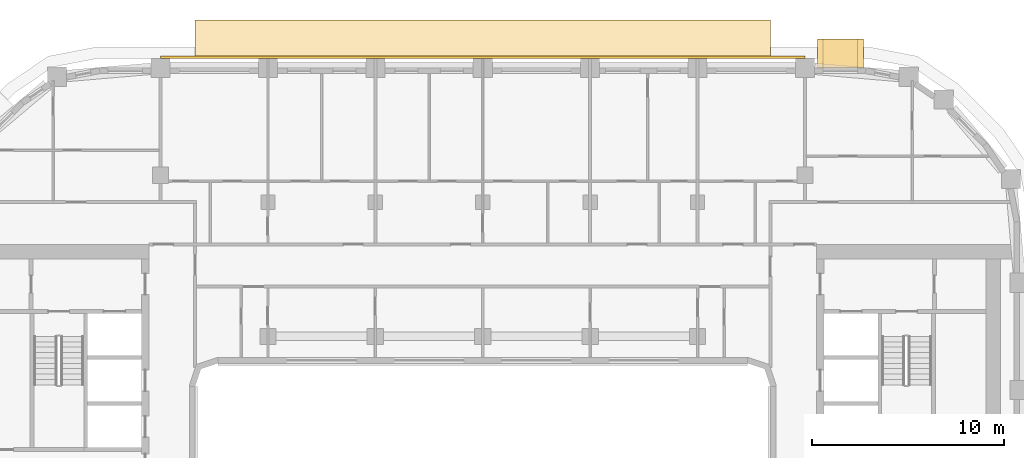
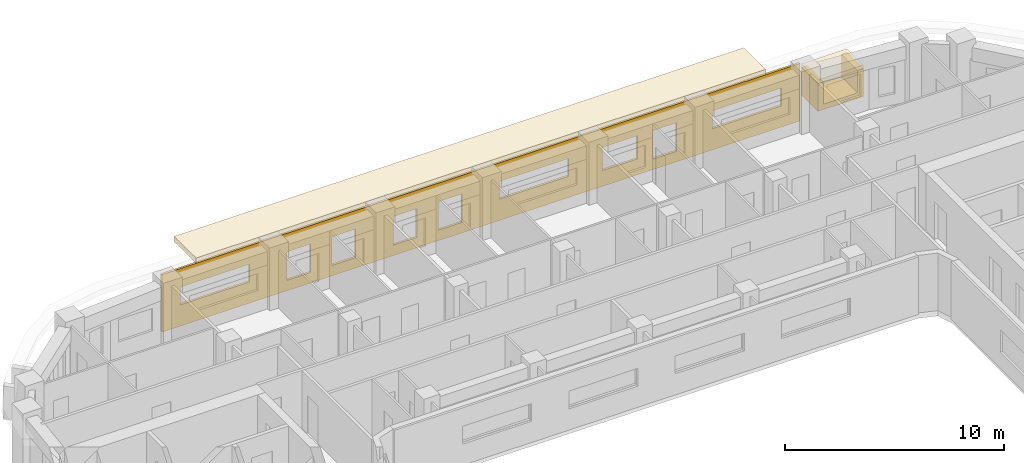
# One storey, part 21 of 22: 4 coverings.
"""IFC4 building model written with IfcOpenShell, lengths in metres."""

from ifc_helpers import new_model, si_unit, direction, frame, origin, origin_2d, place, context, subcontext, project, spatial, polyline, rectangle, outline, extrude, material, layer, layer_set, type_object, element, save


model = new_model("IFC4")

# Units and contexts
model_context = context("Model", 3, precision=1e-05, world=origin(), true_north=direction((0.0, 1.0)))
body_context = subcontext(model_context, "Body", "Model", "MODEL_VIEW")
ifc_project = project(units=[si_unit("LENGTHUNIT", "METRE"), si_unit("AREAUNIT", "SQUARE_METRE"), si_unit("VOLUMEUNIT", "CUBIC_METRE"), si_unit("PLANEANGLEUNIT", "RADIAN"), si_unit("MASSUNIT", "GRAM", prefix="KILO")], contexts=[model_context])

# Site, building, storey
site_placement = place(None, origin())
site = spatial("IfcSite", under=ifc_project, at=site_placement, CompositionType="ELEMENT")
building_placement = place(site_placement, origin())
building = spatial("IfcBuilding", under=site, at=building_placement, Name="Kiln Ring Residences", CompositionType="ELEMENT")
storey_placement = place(building_placement, frame((0.0, 0.0, 167.60009765625)))
storey = spatial("IfcBuildingStorey", under=building, at=storey_placement, Name="L43", CompositionType="ELEMENT", Elevation=167.60009765625)

# Coverings
ifc_material_1 = material(Name="Brick masonry, dark clay brick", Category="masonry")
ifc_layer_1 = layer(ifc_material_1, 0.300048828125)
ifc_layer_set_1 = layer_set([ifc_layer_1], Name="FRAME CHEEKS AND SILL 1500")
covering_type_1 = type_object("IfcCoveringType", Name="FRAME CHEEKS AND SILL 1500", PredefinedType="CLADDING", material=ifc_layer_set_1)
covering_1_placement = place(storey_placement, frame((19.85009765625, 23.14990234375, 0.599853515625), z_axis=(0.0, 0.0, 1.0), x_axis=(-1.0, 0.0, 0.0)))
element("IfcCovering", 1, at=covering_1_placement, inside=storey, type_object=covering_type_1, Name="FRAME L43", PredefinedType="CLADDING", context=body_context, shape_type="SweptSolid", body=[
    extrude(outline(polyline([(0.0, 0.0), (2.400146484375, 0.0), (2.39990234375, 1.550048828125), (2.10107421875, 1.550048828125), (2.10009765625, 0.300048828125), (0.300048828125, 0.300048828125), (0.299072265625, 1.550048828125), (0.0, 1.550048828125), (0.0, 0.0)])), frame((0.0, 0.75, 0.0), z_axis=(0.0, -1.0, 0.0), x_axis=(1.0, 0.0, 0.0)), (0.0, 0.0, 1.0), 1.5),
])
ifc_material_2 = material(Name="Brick masonry, dark clay brick", Category="masonry")
ifc_layer_2 = layer(ifc_material_2, 0.199951171875)
ifc_layer_set_2 = layer_set([ifc_layer_2], Name="FRAME HEAD 1500")
covering_type_2 = type_object("IfcCoveringType", Name="FRAME HEAD 1500", PredefinedType="CLADDING", material=ifc_layer_set_2)
covering_2_placement = place(storey_placement, frame((18.64990234375, 23.14990234375, 2.14990234375), z_axis=(0.0, 0.0, 1.0), x_axis=(-1.0, 0.0, 0.0)))
element("IfcCovering", 2, at=covering_2_placement, inside=storey, type_object=covering_type_2, Name="FRAME HEAD L43", PredefinedType="CLADDING", context=body_context, shape_type="SweptSolid", body=[
    extrude(rectangle(XDim=2.39990234375, YDim=1.5, at=origin_2d()), origin(), (0.0, 0.0, 1.0), 0.199951171875),
])
ifc_material_3 = material(Name="Brick masonry, dark clay brick", Category="masonry")
ifc_layer_3 = layer(ifc_material_3, 0.1201171875)
ifc_layer_set_3 = layer_set([ifc_layer_3], Name="RAINSCREEN PANEL 120")
covering_type_3 = type_object("IfcCoveringType", Name="RAINSCREEN PANEL 120", PredefinedType="CLADDING", material=ifc_layer_set_3)
covering_3_placement = place(storey_placement, frame((16.800048828125, 22.9599609375, 0.0), z_axis=(0.0, 0.0, 1.0), x_axis=(-1.0, 0.0, 0.0)))
element("IfcCovering", 3, at=covering_3_placement, inside=storey, type_object=covering_type_3, Name="RAINSCREEN L43", PredefinedType="CLADDING", context=body_context, shape_type="SweptSolid", body=[
    extrude(outline(polyline([(0.0, 0.0), (33.60009765625, 0.0), (33.60009765625, 3.199951171875), (0.0, 3.199951171875), (0.0, 0.0)]), holes=[polyline([(6.492431640625, 0.579833984375), (7.732421875, 0.579833984375), (7.732421875, 2.169921875), (6.492431640625, 2.169921875), (6.492431640625, 0.579833984375)]), polyline([(17.79248046875, 0.579833984375), (19.032470703125, 0.579833984375), (19.032470703125, 2.169921875), (17.79248046875, 2.169921875), (17.79248046875, 0.579833984375)]), polyline([(20.16748046875, 0.579833984375), (21.407470703125, 0.579833984375), (21.407470703125, 2.169921875), (20.16748046875, 2.169921875), (20.16748046875, 0.579833984375)]), polyline([(23.392578125, 0.579833984375), (24.632568359375, 0.579833984375), (24.632568359375, 2.169921875), (23.392578125, 2.169921875), (23.392578125, 0.579833984375)]), polyline([(25.767578125, 0.579833984375), (27.007568359375, 0.579833984375), (27.007568359375, 2.169921875), (25.767578125, 2.169921875), (25.767578125, 0.579833984375)]), polyline([(8.5673828125, 0.8798828125), (10.407470703125, 0.8798828125), (10.407470703125, 2.169921875), (8.5673828125, 2.169921875), (8.5673828125, 0.8798828125)]), polyline([(0.97998046875, 1.179931640625), (4.6201171875, 1.179931640625), (4.6201171875, 2.169921875), (0.97998046875, 2.169921875), (0.97998046875, 1.179931640625)]), polyline([(12.179931640625, 2.169921875), (12.179931640625, 1.179931640625), (15.820068359375, 1.179931640625), (15.820068359375, 2.169921875), (12.179931640625, 2.169921875)]), polyline([(28.97998046875, 2.169921875), (28.97998046875, 1.179931640625), (32.6201171875, 1.179931640625), (32.6201171875, 2.169921875), (28.97998046875, 2.169921875)])]), frame((0.0, 0.06005859375, 0.0), z_axis=(0.0, -1.0, 0.0), x_axis=(1.0, 0.0, 0.0)), (0.0, 0.0, 1.0), 0.1201171875),
])
ifc_material_4 = material(Name="Black powder-coated steel", Category="steel")
ifc_layer_4 = layer(ifc_material_4, 0.300048828125)
ifc_layer_set_4 = layer_set([ifc_layer_4], Name="SUNSHADE BAND 2000")
covering_type_4 = type_object("IfcCoveringType", Name="SUNSHADE BAND 2000", PredefinedType="CLADDING", material=ifc_layer_set_4)
covering_4_placement = place(storey_placement, frame((0.0, 0.0, 3.199951171875)))
element("IfcCovering", 4, at=covering_4_placement, inside=storey, type_object=covering_type_4, Name="SUNSHADE BAND L43", PredefinedType="CLADDING", context=body_context, shape_type="SweptSolid", body=[
    extrude(outline(polyline([(15.0, 24.89990234375), (-15.0, 24.89990234375), (-15.0, 22.89990234375), (15.0, 22.89990234375), (15.0, 24.89990234375)])), origin(), (0.0, 0.0, 1.0), 0.300048828125),
])

save(model, "model.ifc")
